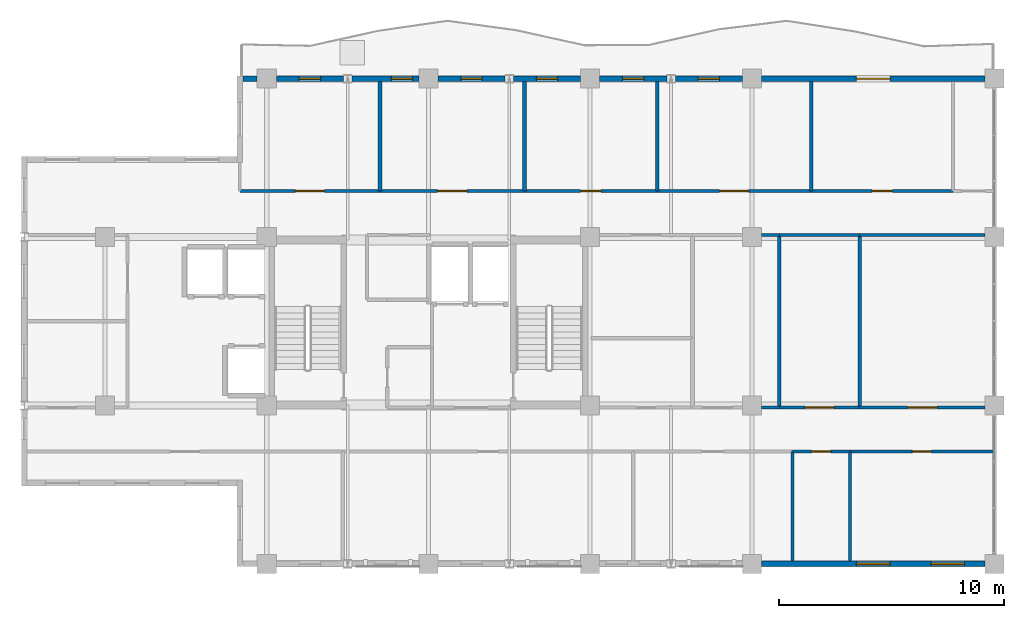
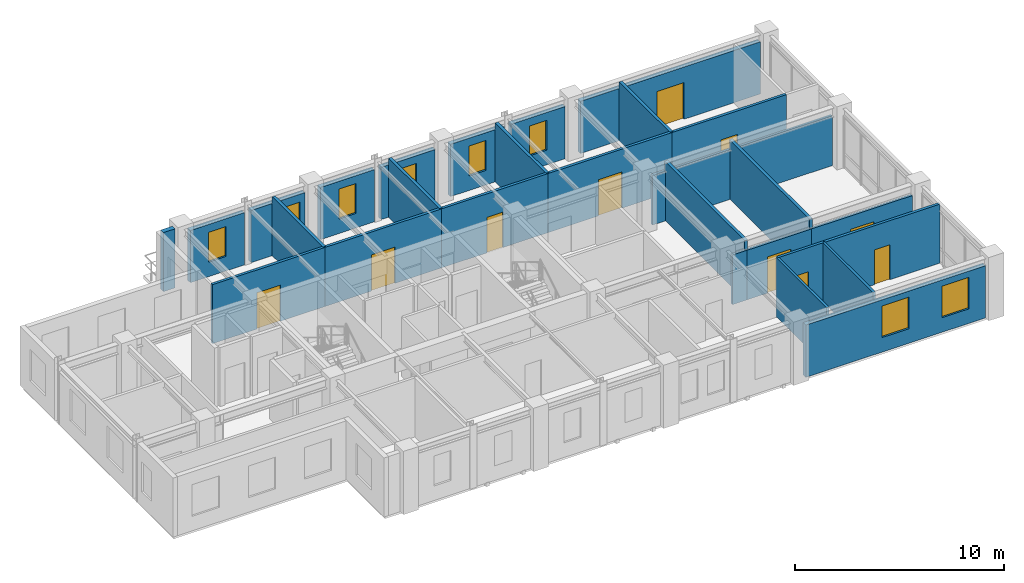
# One storey, part 8 of 10: 30 walls, 10 doors, 8 windows, 18 openings.
"""IFC4 building model written with IfcOpenShell, lengths in metres."""

import ifcopenshell
import ifcopenshell.guid

model = None  # the IFC model being written
_history = None  # IfcOwnerHistory: only IFC2X3 demands one
_inside = {}  # id of a spatial element -> (the spatial element, [elements in it])
_under = {}  # id of a project, library or spatial element -> (it, [spatial elements below it])
_declared = {}  # id of a project -> (the project, [libraries it declares])
_typed = {}  # id of a type object -> (the type object, [elements of that type])
_made_of = {}  # id of a material, layer set ... -> (it, [elements and type objects made of it])


def new_model(schema):
    """Start an empty IFC model of exactly this schema.

    Asked for "IFC4X3", IfcOpenShell would pick the latest addendum, in which some entities
    have other attributes; the version numbers below select the first issue.
    IFC2X3 requires an IfcOwnerHistory on every rooted entity: one is made here for all.
    """
    global model, _history
    if schema == "IFC4X3":
        model = ifcopenshell.file(schema_version=(4, 3, 0, 0))
    else:
        model = ifcopenshell.file(schema=schema)
    _inside.clear()
    _under.clear()
    _declared.clear()
    _typed.clear()
    _made_of.clear()
    _history = None
    if model.schema == "IFC2X3":
        org = make("IfcOrganization", Name="unknown")
        user = make(
            "IfcPersonAndOrganization",
            ThePerson=make("IfcPerson", FamilyName="unknown"),
            TheOrganization=org,
        )
        app = make(
            "IfcApplication",
            ApplicationDeveloper=org,
            Version="unknown",
            ApplicationFullName="unknown",
            ApplicationIdentifier="unknown",
        )
        _history = make(
            "IfcOwnerHistory",
            OwningUser=user,
            OwningApplication=app,
            ChangeAction="ADDED",
            CreationDate=0,
        )
    return model


def make(cls, **values):
    """One entity of the class cls with the attributes given. An attribute that is None is left unset."""
    return model.create_entity(
        cls, **{name: value for name, value in values.items() if value is not None}
    )


def rooted(cls, **values):
    """An entity with a GlobalId (a new one), such as an element, a storey or a relation."""
    return make(cls, GlobalId=ifcopenshell.guid.new(), OwnerHistory=_history, **values)


def si_unit(unit_type, name, prefix=None):
    """IfcSIUnit, for example si_unit("LENGTHUNIT", "METRE", prefix="MILLI")."""
    return make("IfcSIUnit", UnitType=unit_type, Prefix=prefix, Name=name)


def assignment(units):
    """IfcUnitAssignment: the units of a project."""
    return None if units is None else make("IfcUnitAssignment", Units=units)


def point(xyz):
    """IfcCartesianPoint."""
    return None if xyz is None else make("IfcCartesianPoint", Coordinates=xyz)


def direction(xyz):
    """IfcDirection."""
    return None if xyz is None else make("IfcDirection", DirectionRatios=xyz)


def frame(location, z_axis=None, x_axis=None):
    """IfcAxis2Placement3D, a coordinate frame: its origin and axes. An axis left out is left unset."""
    return make(
        "IfcAxis2Placement3D",
        Location=point(location),
        Axis=direction(z_axis),
        RefDirection=direction(x_axis),
    )


def frame_2d(location, x_axis=None):
    """IfcAxis2Placement2D, a coordinate frame in the plane: its origin and x axis."""
    return make(
        "IfcAxis2Placement2D", Location=point(location), RefDirection=direction(x_axis)
    )


def origin():
    """The frame at (0, 0, 0) with its axes left unset."""
    return frame((0.0, 0.0, 0.0))


def place(relative_to, where):
    """IfcLocalPlacement: puts the frame where relative to a parent placement (None: the world)."""
    return make(
        "IfcLocalPlacement", PlacementRelTo=relative_to, RelativePlacement=where
    )


def context(
    kind, dimensions, precision=None, world=None, true_north=None, identifier=None
):
    """IfcGeometricRepresentationContext, for example the 3D "Model" context."""
    return make(
        "IfcGeometricRepresentationContext",
        ContextIdentifier=identifier,
        ContextType=kind,
        CoordinateSpaceDimension=dimensions,
        Precision=precision,
        WorldCoordinateSystem=world,
        TrueNorth=true_north,
    )


def subcontext(parent, identifier, kind, view, scale=None):
    """IfcGeometricRepresentationSubContext, for example "Body" below "Model"."""
    return make(
        "IfcGeometricRepresentationSubContext",
        ContextIdentifier=identifier,
        ContextType=kind,
        ParentContext=parent,
        TargetScale=scale,
        TargetView=view,
    )


def project(units=None, contexts=None):
    """IfcProject with its units and contexts."""
    return rooted(
        "IfcProject",
        Name="project",
        RepresentationContexts=contexts,
        UnitsInContext=assignment(units),
    )


def spatial(cls, under=None, at=None, **own):
    """A site, building, storey or space (cls), placed at a placement, below another one or the project."""
    s = rooted(cls, ObjectPlacement=at, **own)
    if under is not None:
        _under.setdefault(under.id(), (under, []))[1].append(s)
    return s


def profile(cls, at=None, kind="AREA", **sizes):
    """A parametric profile (cls). Its sizes go by their IFC names, for example OverallWidth=200.0."""
    return make(cls, ProfileType=kind, Position=at, **sizes)


def rectangle(**sizes):
    """IfcRectangleProfileDef."""
    return profile("IfcRectangleProfileDef", **sizes)


def extrude(swept, where, along, depth):
    """IfcExtrudedAreaSolid: the profile swept, set in the frame where, extruded along a direction by depth."""
    return make(
        "IfcExtrudedAreaSolid",
        SweptArea=swept,
        Position=where,
        ExtrudedDirection=direction(along),
        Depth=depth,
    )


def shape(context_of_items, identifier, shape_type, items):
    """IfcShapeRepresentation: the items that make up one representation, for example the "Body"."""
    return make(
        "IfcShapeRepresentation",
        ContextOfItems=context_of_items,
        RepresentationIdentifier=identifier,
        RepresentationType=shape_type,
        Items=items,
    )


def material(Name=None, Category=None):
    """IfcMaterial."""
    return make("IfcMaterial", Name=Name, Category=Category)


def layer(
    of_material, thickness, ventilated=None, Name=None, Category=None, Priority=None
):
    """IfcMaterialLayer: one layer of a wall or slab, of a material (None: an air gap)."""
    return make(
        "IfcMaterialLayer",
        Material=of_material,
        LayerThickness=thickness,
        IsVentilated=ventilated,
        Name=Name,
        Category=Category,
        Priority=Priority,
    )


def layer_set(layers, Name=None):
    """IfcMaterialLayerSet."""
    return make("IfcMaterialLayerSet", MaterialLayers=layers, LayerSetName=Name)


def made_of(thing, what):
    """Note that an element or type object is made of a material, layer set ...; save() writes the relation."""
    if what is not None:
        _made_of.setdefault(what.id(), (what, []))[1].append(thing)
    return thing


def type_object(cls, material=None, **own):
    """A type object (cls), such as IfcWallType, which elements share."""
    return made_of(rooted(cls, **own), material)


def element(
    cls,
    number,
    at=None,
    inside=None,
    cuts=None,
    type_object=None,
    material=None,
    context=None,
    identifier="Body",
    shape_type=None,
    held_by="IfcProductDefinitionShape",
    body=None,
    shapes=None,
    **own,
):
    """One element of the class cls, such as IfcWall. Its Tag is "e" and its number.

    at: its placement. inside: the storey or other place that contains it. cuts: it is an
    opening in that element (IfcRelVoidsElement). A single representation is given by context,
    identifier, shape_type and body (its items); several are given by shapes. held_by: the class
    of the entity that holds the representations. save() writes the other relations.
    """
    e = rooted(cls, Tag="e%d" % number, ObjectPlacement=at, **own)
    if body is not None:
        shapes = [shape(context, identifier, shape_type, body)]
    if shapes is not None:
        e.Representation = make(held_by, Representations=shapes)
    if inside is not None:
        _inside.setdefault(inside.id(), (inside, []))[1].append(e)
    if cuts is not None:
        rooted(
            "IfcRelVoidsElement", RelatingBuildingElement=cuts, RelatedOpeningElement=e
        )
    if type_object is not None:
        _typed.setdefault(type_object.id(), (type_object, []))[1].append(e)
    return made_of(e, material)


def fill(opening, filler):
    """IfcRelFillsElement: the door or window that sits in an opening."""
    return rooted(
        "IfcRelFillsElement",
        RelatingOpeningElement=opening,
        RelatedBuildingElement=filler,
    )


def aggregate(whole, parts):
    """IfcRelAggregates: a whole, such as a stair, and the parts it consists of."""
    return rooted("IfcRelAggregates", RelatingObject=whole, RelatedObjects=parts)


def save(model, path):
    """Write the relations noted so far, then the file.

    IfcRelAggregates (storeys below a building ...), IfcRelContainedInSpatialStructure (elements
    in a storey), IfcRelDefinesByType, IfcRelAssociatesMaterial and IfcRelDeclares: one each for
    every whole, place, type object, material and project.
    """
    for whole, parts in _under.values():
        aggregate(whole, parts)
    for where, things in _inside.values():
        rooted(
            "IfcRelContainedInSpatialStructure",
            RelatedElements=things,
            RelatingStructure=where,
        )
    for kind, things in _typed.values():
        rooted("IfcRelDefinesByType", RelatedObjects=things, RelatingType=kind)
    for what, things in _made_of.values():
        rooted("IfcRelAssociatesMaterial", RelatedObjects=things, RelatingMaterial=what)
    for by, libraries in _declared.values():
        rooted("IfcRelDeclares", RelatingContext=by, RelatedDefinitions=libraries)
    model.write(path)


model = new_model("IFC4")

# Units and contexts
model_context = context("Model", 3, precision=1e-05, world=origin(), true_north=direction((0.0, 1.0)))
body_context = subcontext(model_context, "Body", "Model", "MODEL_VIEW")
ifc_project = project(units=[si_unit("LENGTHUNIT", "METRE"), si_unit("AREAUNIT", "SQUARE_METRE"), si_unit("VOLUMEUNIT", "CUBIC_METRE"), si_unit("PLANEANGLEUNIT", "RADIAN"), si_unit("MASSUNIT", "GRAM", prefix="KILO")], contexts=[model_context])

# Site, building, storey
site_placement = place(None, origin())
site = spatial("IfcSite", under=ifc_project, at=site_placement, CompositionType="ELEMENT")
building_placement = place(site_placement, origin())
building = spatial("IfcBuilding", under=site, at=building_placement, Name="Kaliganga Portal Commons", CompositionType="ELEMENT")
storey_placement = place(building_placement, frame((0.0, 0.0, 286.89990234375)))
storey = spatial("IfcBuildingStorey", under=building, at=storey_placement, Name="L74", CompositionType="ELEMENT", Elevation=286.89990234375)

# Wall, openings, windows
ifc_material_1 = material(Name="Insulated Aluminium-Clad Spandrel Assembly", Category="aluminium")
ifc_layer_1 = layer(ifc_material_1, 0.260009765625)
ifc_layer_set_1 = layer_set([ifc_layer_1], Name="Insulated Aluminium-Clad Spandrel Assembly")
wall_type_1 = type_object("IfcWallType", Name="WL-EXT-SPAND-260", PredefinedType="STANDARD", material=ifc_layer_set_1)
wall_1_placement = place(storey_placement, frame((46.3740234375, 21.60009765625, 0.0), z_axis=(0.0, 0.0, 1.0), x_axis=(-1.0, 0.0, 0.0)))
wall_1 = element("IfcWall", 1, at=wall_1_placement, inside=storey, type_object=wall_type_1, Name="Exterior Envelope Wall L74 P1-E00-S8", PredefinedType="STANDARD", context=body_context, shape_type="SweptSolid", body=[
    extrude(rectangle(XDim=9.947998046875, YDim=0.260009765625, at=frame_2d((4.97412109375, 0.0))), origin(), (0.0, 0.0, 1.0), 3.05517578125),
])
opening_1_placement = place(wall_1_placement, frame((0.907958984375, 0.0, 0.85009765625)))
opening_1 = element("IfcOpeningElement", 2, at=opening_1_placement, cuts=wall_1, Name="Opening W-02", PredefinedType="OPENING", context=body_context, shape_type="SweptSolid", body=[
    extrude(rectangle(XDim=1.5, YDim=1.85009765625, at=frame_2d((0.75, 0.925048828125))), frame((0.0, 0.14013671875, 0.0), z_axis=(0.0, -1.0, 0.0), x_axis=(1.0, 0.0, 0.0)), (0.0, 0.0, 1.0), 0.280029296875),
])
opening_2_placement = place(wall_1_placement, frame((4.22412109375, 0.0, 0.85009765625)))
opening_2 = element("IfcOpeningElement", 3, at=opening_2_placement, cuts=wall_1, Name="Opening W-02", PredefinedType="OPENING", context=body_context, shape_type="SweptSolid", body=[
    extrude(rectangle(XDim=1.5, YDim=1.85009765625, at=frame_2d((0.75, 0.925048828125))), frame((0.0, 0.14013671875, 0.0), z_axis=(0.0, -1.0, 0.0), x_axis=(1.0, 0.0, 0.0)), (0.0, 0.0, 1.0), 0.280029296875),
])
ifc_material_2 = material(Name="Thermally Broken Aluminium and Low-E Double Glazing", Category="aluminium")
window_type_1 = type_object("IfcWindowType", Name="WIN-STD-1500", PartitioningType="DOUBLE_PANEL_VERTICAL", PredefinedType="WINDOW", material=ifc_material_2)
window_1_placement = place(opening_1_placement, origin())
window_1 = element("IfcWindow", 4, at=window_1_placement, inside=storey, type_object=window_type_1, Name="Facade Window L74-P1E00S8-00", OverallHeight=1.85009765625, OverallWidth=1.5, PartitioningType="SINGLE_PANEL", PredefinedType="WINDOW", context=body_context, shape_type="SweptSolid", body=[
    extrude(rectangle(XDim=1.5, YDim=1.85009765625, at=frame_2d((0.75, 0.925048828125))), frame((0.0, 0.030029296875, 0.0), z_axis=(0.0, -1.0, 0.0), x_axis=(1.0, 0.0, 0.0)), (0.0, 0.0, 1.0), 0.06005859375),
])
fill(opening_1, window_1)
window_2_placement = place(opening_2_placement, origin())
window_2 = element("IfcWindow", 5, at=window_2_placement, inside=storey, type_object=window_type_1, Name="Facade Window L74-P1E00S8-01", OverallHeight=1.85009765625, OverallWidth=1.5, PartitioningType="SINGLE_PANEL", PredefinedType="WINDOW", context=body_context, shape_type="SweptSolid", body=[
    extrude(rectangle(XDim=1.5, YDim=1.85009765625, at=frame_2d((0.75, 0.925048828125))), frame((0.0, 0.030029296875, 0.0), z_axis=(0.0, -1.0, 0.0), x_axis=(1.0, 0.0, 0.0)), (0.0, 0.0, 1.0), 0.06005859375),
])
fill(opening_2, window_2)

# Wall, opening, door
wall_2_placement = place(storey_placement, frame((36.426025390625, 43.199951171875, 0.0), z_axis=(0.0, 0.0, 1.0), x_axis=(1.0, 0.0, 0.0)))
wall_2 = element("IfcWall", 6, at=wall_2_placement, inside=storey, type_object=wall_type_1, Name="Exterior Envelope Wall L74 P1-E02-S1", PredefinedType="STANDARD", context=body_context, shape_type="SweptSolid", body=[
    extrude(rectangle(XDim=9.947998046875, YDim=0.260009765625, at=frame_2d((4.97412109375, 0.0))), origin(), (0.0, 0.0, 1.0), 3.05517578125),
])
opening_3_placement = place(wall_2_placement, frame((4.22412109375, 0.0, 0.0)))
opening_3 = element("IfcOpeningElement", 7, at=opening_3_placement, cuts=wall_2, Name="Opening BD-01", PredefinedType="OPENING", context=body_context, shape_type="SweptSolid", body=[
    extrude(rectangle(XDim=1.5, YDim=2.14990234375, at=frame_2d((0.75, 1.074951171875))), frame((0.0, 0.14013671875, 0.0), z_axis=(0.0, -1.0, 0.0), x_axis=(1.0, 0.0, 0.0)), (0.0, 0.0, 1.0), 0.280029296875),
])
ifc_material_3 = material(Name="Anodized Aluminium and Laminated Safety Glass", Category="aluminium")
door_type_1 = type_object("IfcDoorType", Name="DR-BALC-1500", OperationType="SLIDING_TO_LEFT", PredefinedType="DOOR", material=ifc_material_3)
door_1_placement = place(opening_3_placement, origin())
door_1 = element("IfcDoor", 8, at=door_1_placement, inside=storey, type_object=door_type_1, Name="Balcony Sliding Door L74 balc_north", OperationType="SLIDING_TO_LEFT", OverallHeight=2.14990234375, OverallWidth=1.5, PredefinedType="DOOR", context=body_context, shape_type="SweptSolid", body=[
    extrude(rectangle(XDim=1.5, YDim=2.14990234375, at=frame_2d((0.75, 1.074951171875))), frame((0.0, 0.02490234375, 0.0), z_axis=(0.0, -1.0, 0.0), x_axis=(1.0, 0.0, 0.0)), (0.0, 0.0, 1.0), 0.050048828125),
])
fill(opening_3, door_1)

# Wall, opening, window
wall_3_placement = place(storey_placement, frame((32.587890625, 43.199951171875, 0.0), z_axis=(0.0, 0.0, 1.0), x_axis=(1.0, 0.0, 0.0)))
wall_3 = element("IfcWall", 9, at=wall_3_placement, inside=storey, type_object=wall_type_1, Name="Exterior Envelope Wall L74 P1-E02-S2", PredefinedType="STANDARD", context=body_context, shape_type="SweptSolid", body=[
    extrude(rectangle(XDim=2.986083984375, YDim=0.260009765625, at=frame_2d((1.4931640625, 0.0))), origin(), (0.0, 0.0, 1.0), 3.05517578125),
])
opening_4_placement = place(wall_3_placement, frame((1.01806640625, 0.0, 0.85009765625)))
opening_4 = element("IfcOpeningElement", 10, at=opening_4_placement, cuts=wall_3, Name="Opening W-04", PredefinedType="OPENING", context=body_context, shape_type="SweptSolid", body=[
    extrude(rectangle(XDim=0.949951171875, YDim=1.75, at=frame_2d((0.47509765625, 0.875))), frame((0.0, 0.14013671875, 0.0), z_axis=(0.0, -1.0, 0.0), x_axis=(1.0, 0.0, 0.0)), (0.0, 0.0, 1.0), 0.280029296875),
])
window_type_2 = type_object("IfcWindowType", Name="WIN-NARROW-950", PartitioningType="SINGLE_PANEL", PredefinedType="WINDOW", material=ifc_material_2)
window_3_placement = place(opening_4_placement, origin())
window_3 = element("IfcWindow", 11, at=window_3_placement, inside=storey, type_object=window_type_2, Name="Facade Window L74-P1E02S2-00", OverallHeight=1.75, OverallWidth=0.949951171875, PartitioningType="SINGLE_PANEL", PredefinedType="WINDOW", context=body_context, shape_type="SweptSolid", body=[
    extrude(rectangle(XDim=0.949951171875, YDim=1.75, at=frame_2d((0.47509765625, 0.875))), frame((0.0, 0.030029296875, 0.0), z_axis=(0.0, -1.0, 0.0), x_axis=(1.0, 0.0, 0.0)), (0.0, 0.0, 1.0), 0.06005859375),
])
fill(opening_4, window_3)

wall_4_placement = place(storey_placement, frame((29.22607421875, 43.199951171875, 0.0), z_axis=(0.0, 0.0, 1.0), x_axis=(1.0, 0.0, 0.0)))
wall_4 = element("IfcWall", 12, at=wall_4_placement, inside=storey, type_object=wall_type_1, Name="Exterior Envelope Wall L74 P1-E02-S3", PredefinedType="STANDARD", context=body_context, shape_type="SweptSolid", body=[
    extrude(rectangle(XDim=2.98583984375, YDim=0.260009765625, at=frame_2d((1.492919921875, 0.0))), origin(), (0.0, 0.0, 1.0), 3.05517578125),
])
opening_5_placement = place(wall_4_placement, frame((1.01806640625, 0.0, 0.85009765625)))
opening_5 = element("IfcOpeningElement", 13, at=opening_5_placement, cuts=wall_4, Name="Opening W-04", PredefinedType="OPENING", context=body_context, shape_type="SweptSolid", body=[
    extrude(rectangle(XDim=0.949951171875, YDim=1.75, at=frame_2d((0.47509765625, 0.875))), frame((0.0, 0.14013671875, 0.0), z_axis=(0.0, -1.0, 0.0), x_axis=(1.0, 0.0, 0.0)), (0.0, 0.0, 1.0), 0.280029296875),
])
window_4_placement = place(opening_5_placement, origin())
window_4 = element("IfcWindow", 14, at=window_4_placement, inside=storey, type_object=window_type_2, Name="Facade Window L74-P1E02S3-00", OverallHeight=1.75, OverallWidth=0.949951171875, PartitioningType="SINGLE_PANEL", PredefinedType="WINDOW", context=body_context, shape_type="SweptSolid", body=[
    extrude(rectangle(XDim=0.949951171875, YDim=1.75, at=frame_2d((0.47509765625, 0.875))), frame((0.0, 0.030029296875, 0.0), z_axis=(0.0, -1.0, 0.0), x_axis=(1.0, 0.0, 0.0)), (0.0, 0.0, 1.0), 0.06005859375),
])
fill(opening_5, window_4)

wall_5_placement = place(storey_placement, frame((25.387939453125, 43.199951171875, 0.0), z_axis=(0.0, 0.0, 1.0), x_axis=(1.0, 0.0, 0.0)))
wall_5 = element("IfcWall", 15, at=wall_5_placement, inside=storey, type_object=wall_type_1, Name="Exterior Envelope Wall L74 P1-E02-S4", PredefinedType="STANDARD", context=body_context, shape_type="SweptSolid", body=[
    extrude(rectangle(XDim=2.986083984375, YDim=0.260009765625, at=frame_2d((1.4931640625, 0.0))), origin(), (0.0, 0.0, 1.0), 3.05517578125),
])
opening_6_placement = place(wall_5_placement, frame((1.01806640625, 0.0, 0.85009765625)))
opening_6 = element("IfcOpeningElement", 16, at=opening_6_placement, cuts=wall_5, Name="Opening W-04", PredefinedType="OPENING", context=body_context, shape_type="SweptSolid", body=[
    extrude(rectangle(XDim=0.949951171875, YDim=1.75, at=frame_2d((0.47509765625, 0.875))), frame((0.0, 0.14013671875, 0.0), z_axis=(0.0, -1.0, 0.0), x_axis=(1.0, 0.0, 0.0)), (0.0, 0.0, 1.0), 0.280029296875),
])
window_5_placement = place(opening_6_placement, origin())
window_5 = element("IfcWindow", 17, at=window_5_placement, inside=storey, type_object=window_type_2, Name="Facade Window L74-P1E02S4-00", OverallHeight=1.75, OverallWidth=0.949951171875, PartitioningType="SINGLE_PANEL", PredefinedType="WINDOW", context=body_context, shape_type="SweptSolid", body=[
    extrude(rectangle(XDim=0.949951171875, YDim=1.75, at=frame_2d((0.47509765625, 0.875))), frame((0.0, 0.030029296875, 0.0), z_axis=(0.0, -1.0, 0.0), x_axis=(1.0, 0.0, 0.0)), (0.0, 0.0, 1.0), 0.06005859375),
])
fill(opening_6, window_5)

wall_6_placement = place(storey_placement, frame((22.02587890625, 43.199951171875, 0.0), z_axis=(0.0, 0.0, 1.0), x_axis=(1.0, 0.0, 0.0)))
wall_6 = element("IfcWall", 18, at=wall_6_placement, inside=storey, type_object=wall_type_1, Name="Exterior Envelope Wall L74 P1-E02-S5", PredefinedType="STANDARD", context=body_context, shape_type="SweptSolid", body=[
    extrude(rectangle(XDim=2.986083984375, YDim=0.260009765625, at=frame_2d((1.4931640625, 0.0))), origin(), (0.0, 0.0, 1.0), 3.05517578125),
])
opening_7_placement = place(wall_6_placement, frame((1.01806640625, 0.0, 0.85009765625)))
opening_7 = element("IfcOpeningElement", 19, at=opening_7_placement, cuts=wall_6, Name="Opening W-04", PredefinedType="OPENING", context=body_context, shape_type="SweptSolid", body=[
    extrude(rectangle(XDim=0.949951171875, YDim=1.75, at=frame_2d((0.47509765625, 0.875))), frame((0.0, 0.14013671875, 0.0), z_axis=(0.0, -1.0, 0.0), x_axis=(1.0, 0.0, 0.0)), (0.0, 0.0, 1.0), 0.280029296875),
])
window_6_placement = place(opening_7_placement, origin())
window_6 = element("IfcWindow", 20, at=window_6_placement, inside=storey, type_object=window_type_2, Name="Facade Window L74-P1E02S5-00", OverallHeight=1.75, OverallWidth=0.949951171875, PartitioningType="SINGLE_PANEL", PredefinedType="WINDOW", context=body_context, shape_type="SweptSolid", body=[
    extrude(rectangle(XDim=0.949951171875, YDim=1.75, at=frame_2d((0.47509765625, 0.875))), frame((0.0, 0.030029296875, 0.0), z_axis=(0.0, -1.0, 0.0), x_axis=(1.0, 0.0, 0.0)), (0.0, 0.0, 1.0), 0.06005859375),
])
fill(opening_7, window_6)

wall_7_placement = place(storey_placement, frame((18.18798828125, 43.199951171875, 0.0), z_axis=(0.0, 0.0, 1.0), x_axis=(1.0, 0.0, 0.0)))
wall_7 = element("IfcWall", 21, at=wall_7_placement, inside=storey, type_object=wall_type_1, Name="Exterior Envelope Wall L74 P1-E02-S6", PredefinedType="STANDARD", context=body_context, shape_type="SweptSolid", body=[
    extrude(rectangle(XDim=2.986083984375, YDim=0.260009765625, at=frame_2d((1.4931640625, 0.0))), origin(), (0.0, 0.0, 1.0), 3.05517578125),
])
opening_8_placement = place(wall_7_placement, frame((1.758544921875, 0.0, 0.85009765625)))
opening_8 = element("IfcOpeningElement", 22, at=opening_8_placement, cuts=wall_7, Name="Opening W-04", PredefinedType="OPENING", context=body_context, shape_type="SweptSolid", body=[
    extrude(rectangle(XDim=0.949951171875, YDim=1.75, at=frame_2d((0.47509765625, 0.875))), frame((0.0, 0.14013671875, 0.0), z_axis=(0.0, -1.0, 0.0), x_axis=(1.0, 0.0, 0.0)), (0.0, 0.0, 1.0), 0.280029296875),
])
window_7_placement = place(opening_8_placement, origin())
window_7 = element("IfcWindow", 23, at=window_7_placement, inside=storey, type_object=window_type_2, Name="Facade Window L74-P1E02S6-N2", OverallHeight=1.75, OverallWidth=0.949951171875, PartitioningType="SINGLE_PANEL", PredefinedType="WINDOW", context=body_context, shape_type="SweptSolid", body=[
    extrude(rectangle(XDim=0.949951171875, YDim=1.75, at=frame_2d((0.47509765625, 0.875))), frame((0.0, 0.030029296875, 0.0), z_axis=(0.0, -1.0, 0.0), x_axis=(1.0, 0.0, 0.0)), (0.0, 0.0, 1.0), 0.06005859375),
])
fill(opening_8, window_7)

wall_8_placement = place(storey_placement, frame((14.825927734375, 43.199951171875, 0.0), z_axis=(0.0, 0.0, 1.0), x_axis=(1.0, 0.0, 0.0)))
wall_8 = element("IfcWall", 24, at=wall_8_placement, inside=storey, type_object=wall_type_1, Name="Exterior Envelope Wall L74 P1-E02-S7", PredefinedType="STANDARD", context=body_context, shape_type="SweptSolid", body=[
    extrude(rectangle(XDim=2.986083984375, YDim=0.260009765625, at=frame_2d((1.4931640625, 0.0))), origin(), (0.0, 0.0, 1.0), 3.05517578125),
])
opening_9_placement = place(wall_8_placement, frame((1.01806640625, 0.0, 0.85009765625)))
opening_9 = element("IfcOpeningElement", 25, at=opening_9_placement, cuts=wall_8, Name="Opening W-04", PredefinedType="OPENING", context=body_context, shape_type="SweptSolid", body=[
    extrude(rectangle(XDim=0.949951171875, YDim=1.75, at=frame_2d((0.47509765625, 0.875))), frame((0.0, 0.14013671875, 0.0), z_axis=(0.0, -1.0, 0.0), x_axis=(1.0, 0.0, 0.0)), (0.0, 0.0, 1.0), 0.280029296875),
])
window_8_placement = place(opening_9_placement, origin())
window_8 = element("IfcWindow", 26, at=window_8_placement, inside=storey, type_object=window_type_2, Name="Facade Window L74-P1E02S7-00", OverallHeight=1.75, OverallWidth=0.949951171875, PartitioningType="SINGLE_PANEL", PredefinedType="WINDOW", context=body_context, shape_type="SweptSolid", body=[
    extrude(rectangle(XDim=0.949951171875, YDim=1.75, at=frame_2d((0.47509765625, 0.875))), frame((0.0, 0.030029296875, 0.0), z_axis=(0.0, -1.0, 0.0), x_axis=(1.0, 0.0, 0.0)), (0.0, 0.0, 1.0), 0.06005859375),
])
fill(opening_9, window_8)

# Wall
wall_9_placement = place(storey_placement, frame((13.3349609375, 43.199951171875, 0.0), z_axis=(0.0, 0.0, 1.0), x_axis=(1.0, 0.0, 0.0)))
element("IfcWall", 27, at=wall_9_placement, inside=storey, type_object=wall_type_1, Name="Exterior Envelope Wall L74 P1-E02-S8", PredefinedType="STANDARD", context=body_context, shape_type="SweptSolid", body=[
    extrude(rectangle(XDim=0.63916015625, YDim=0.260009765625, at=frame_2d((0.319580078125, 0.0))), origin(), (0.0, 0.0, 1.0), 3.455078125),
])

# Wall, opening, door
ifc_material_4 = material(Name="Fire-Rated Gypsum Board on Steel Stud", Category="steel")
ifc_layer_2 = layer(ifc_material_4, 0.14990234375)
ifc_layer_set_2 = layer_set([ifc_layer_2], Name="Fire-Rated Gypsum Board on Steel Stud")
wall_type_2 = type_object("IfcWallType", Name="WL-PART-CORR-150", PredefinedType="PARTITIONING", material=ifc_layer_set_2)
wall_10_placement = place(storey_placement, frame((31.780029296875, 38.199951171875, 0.0), z_axis=(0.0, 0.0, 1.0), x_axis=(1.0, 0.0, 0.0)))
wall_10 = element("IfcWall", 28, at=wall_10_placement, inside=storey, type_object=wall_type_2, Name="Interior Partition L74-004", PredefinedType="PARTITIONING", context=body_context, shape_type="SweptSolid", body=[
    extrude(rectangle(XDim=6.85986328125, YDim=0.14990234375, at=frame_2d((3.429931640625, 0.0))), origin(), (0.0, 0.0, 1.0), 3.455078125),
])
opening_10_placement = place(wall_10_placement, frame((2.780029296875, 0.0, 0.0)))
opening_10 = element("IfcOpeningElement", 29, at=opening_10_placement, cuts=wall_10, Name="Opening RD-03", PredefinedType="OPENING", context=body_context, shape_type="SweptSolid", body=[
    extrude(rectangle(XDim=1.300048828125, YDim=2.1201171875, at=frame_2d((0.64990234375, 1.06005859375))), frame((0.0, 0.0849609375, 0.0), z_axis=(0.0, -1.0, 0.0), x_axis=(1.0, 0.0, 0.0)), (0.0, 0.0, 1.0), 0.169921875),
])
ifc_material_5 = material(Name="Glazed Timber Seminar Vision Door", Category="wood")
door_type_2 = type_object("IfcDoorType", Name="DR-STUDY-1300", OperationType="DOUBLE_DOOR_SINGLE_SWING", PredefinedType="DOOR", material=ifc_material_5)
door_2_placement = place(opening_10_placement, origin())
door_2 = element("IfcDoor", 30, at=door_2_placement, inside=storey, type_object=door_type_2, Name="Interior Door L74-AN04", OperationType="DOUBLE_DOOR_SINGLE_SWING", OverallHeight=2.1201171875, OverallWidth=1.300048828125, PredefinedType="DOOR", context=body_context, shape_type="SweptSolid", body=[
    extrude(rectangle(XDim=1.300048828125, YDim=2.1201171875, at=frame_2d((0.64990234375, 1.06005859375))), frame((0.0, 0.02490234375, 0.0), z_axis=(0.0, -1.0, 0.0), x_axis=(1.0, 0.0, 0.0)), (0.0, 0.0, 1.0), 0.050048828125),
])
fill(opening_10, door_2)

wall_11_placement = place(storey_placement, frame((40.360107421875, 26.60009765625, 0.0), z_axis=(0.0, 0.0, 1.0), x_axis=(1.0, 0.0, 0.0)))
wall_11 = element("IfcWall", 31, at=wall_11_placement, inside=storey, type_object=wall_type_2, Name="Interior Partition L74-005", PredefinedType="PARTITIONING", context=body_context, shape_type="SweptSolid", body=[
    extrude(rectangle(XDim=6.419921875, YDim=0.14990234375, at=frame_2d((3.2099609375, 0.0))), origin(), (0.0, 0.0, 1.0), 3.455078125),
])
opening_11_placement = place(wall_11_placement, frame((2.784912109375, 0.0, 0.0)))
opening_11 = element("IfcOpeningElement", 32, at=opening_11_placement, cuts=wall_11, Name="Opening WD-01", PredefinedType="OPENING", context=body_context, shape_type="SweptSolid", body=[
    extrude(rectangle(XDim=0.85009765625, YDim=2.0400390625, at=frame_2d((0.425048828125, 1.02001953125))), frame((0.0, 0.0849609375, 0.0), z_axis=(0.0, -1.0, 0.0), x_axis=(1.0, 0.0, 0.0)), (0.0, 0.0, 1.0), 0.169921875),
])
ifc_material_6 = material(Name="Moisture-Resistant Laminate Timber Door", Category="wood")
door_type_3 = type_object("IfcDoorType", Name="DR-WET-850", OperationType="NOTDEFINED", PredefinedType="DOOR", material=ifc_material_6)
door_3_placement = place(opening_11_placement, origin())
door_3 = element("IfcDoor", 33, at=door_3_placement, inside=storey, type_object=door_type_3, Name="Interior Door L74-AS05", OperationType="SINGLE_SWING_LEFT", OverallHeight=2.0400390625, OverallWidth=0.85009765625, PredefinedType="DOOR", context=body_context, shape_type="SweptSolid", body=[
    extrude(rectangle(XDim=0.85009765625, YDim=2.0400390625, at=frame_2d((0.425048828125, 1.02001953125))), frame((0.0, 0.02490234375, 0.0), z_axis=(0.0, -1.0, 0.0), x_axis=(1.0, 0.0, 0.0)), (0.0, 0.0, 1.0), 0.050048828125),
])
fill(opening_11, door_3)

wall_12_placement = place(storey_placement, frame((19.43994140625, 38.199951171875, 0.0), z_axis=(0.0, 0.0, 1.0), x_axis=(1.0, 0.0, 0.0)))
wall_12 = element("IfcWall", 34, at=wall_12_placement, inside=storey, type_object=wall_type_2, Name="Interior Partition L74-006", PredefinedType="PARTITIONING", context=body_context, shape_type="SweptSolid", body=[
    extrude(rectangle(XDim=6.43994140625, YDim=0.14990234375, at=frame_2d((3.219970703125, 0.0))), origin(), (0.0, 0.0, 1.0), 3.455078125),
])
opening_12_placement = place(wall_12_placement, frame((2.570068359375, 0.0, 0.0)))
opening_12 = element("IfcOpeningElement", 35, at=opening_12_placement, cuts=wall_12, Name="Opening RD-03", PredefinedType="OPENING", context=body_context, shape_type="SweptSolid", body=[
    extrude(rectangle(XDim=1.300048828125, YDim=2.1201171875, at=frame_2d((0.64990234375, 1.06005859375))), frame((0.0, 0.0849609375, 0.0), z_axis=(0.0, -1.0, 0.0), x_axis=(1.0, 0.0, 0.0)), (0.0, 0.0, 1.0), 0.169921875),
])
door_4_placement = place(opening_12_placement, origin())
door_4 = element("IfcDoor", 36, at=door_4_placement, inside=storey, type_object=door_type_2, Name="Interior Door L74-AN02", OperationType="DOUBLE_DOOR_SINGLE_SWING", OverallHeight=2.1201171875, OverallWidth=1.300048828125, PredefinedType="DOOR", context=body_context, shape_type="SweptSolid", body=[
    extrude(rectangle(XDim=1.300048828125, YDim=2.1201171875, at=frame_2d((0.64990234375, 1.06005859375))), frame((0.0, 0.02490234375, 0.0), z_axis=(0.0, -1.0, 0.0), x_axis=(1.0, 0.0, 0.0)), (0.0, 0.0, 1.0), 0.050048828125),
])
fill(opening_12, door_4)

wall_13_placement = place(storey_placement, frame((38.639892578125, 38.199951171875, 0.0), z_axis=(0.0, 0.0, 1.0), x_axis=(1.0, 0.0, 0.0)))
wall_13 = element("IfcWall", 37, at=wall_13_placement, inside=storey, type_object=wall_type_2, Name="Interior Partition L74-007", PredefinedType="PARTITIONING", context=body_context, shape_type="SweptSolid", body=[
    extrude(rectangle(XDim=6.320068359375, YDim=0.14990234375, at=frame_2d((3.16015625, 0.0))), origin(), (0.0, 0.0, 1.0), 3.455078125),
])
opening_13_placement = place(wall_13_placement, frame((2.7099609375, 0.0, 0.0)))
opening_13 = element("IfcOpeningElement", 38, at=opening_13_placement, cuts=wall_13, Name="Opening RD-01", PredefinedType="OPENING", context=body_context, shape_type="SweptSolid", body=[
    extrude(rectangle(XDim=0.89990234375, YDim=2.080078125, at=frame_2d((0.449951171875, 1.0400390625))), frame((0.0, 0.0849609375, 0.0), z_axis=(0.0, -1.0, 0.0), x_axis=(1.0, 0.0, 0.0)), (0.0, 0.0, 1.0), 0.169921875),
])
ifc_material_7 = material(Name="Engineered Timber Flush Door", Category="wood")
door_type_4 = type_object("IfcDoorType", Name="DR-ROOM-900", OperationType="NOTDEFINED", PredefinedType="DOOR", material=ifc_material_7)
door_5_placement = place(opening_13_placement, origin())
door_5 = element("IfcDoor", 39, at=door_5_placement, inside=storey, type_object=door_type_4, Name="Interior Door L74-AN05", OperationType="SINGLE_SWING_LEFT", OverallHeight=2.080078125, OverallWidth=0.89990234375, PredefinedType="DOOR", context=body_context, shape_type="SweptSolid", body=[
    extrude(rectangle(XDim=0.89990234375, YDim=2.080078125, at=frame_2d((0.449951171875, 1.0400390625))), frame((0.0, 0.02490234375, 0.0), z_axis=(0.0, -1.0, 0.0), x_axis=(1.0, 0.0, 0.0)), (0.0, 0.0, 1.0), 0.050048828125),
])
fill(opening_13, door_5)

wall_14_placement = place(storey_placement, frame((13.199951171875, 38.199951171875, 0.0), z_axis=(0.0, 0.0, 1.0), x_axis=(1.0, 0.0, 0.0)))
wall_14 = element("IfcWall", 40, at=wall_14_placement, inside=storey, type_object=wall_type_2, Name="Interior Partition L74-008", PredefinedType="PARTITIONING", context=body_context, shape_type="SweptSolid", body=[
    extrude(rectangle(XDim=6.239990234375, YDim=0.14990234375, at=frame_2d((3.1201171875, 0.0))), origin(), (0.0, 0.0, 1.0), 3.455078125),
])
opening_14_placement = place(wall_14_placement, frame((2.469970703125, 0.0, 0.0)))
opening_14 = element("IfcOpeningElement", 41, at=opening_14_placement, cuts=wall_14, Name="Opening RD-03", PredefinedType="OPENING", context=body_context, shape_type="SweptSolid", body=[
    extrude(rectangle(XDim=1.300048828125, YDim=2.1201171875, at=frame_2d((0.64990234375, 1.06005859375))), frame((0.0, 0.0849609375, 0.0), z_axis=(0.0, -1.0, 0.0), x_axis=(1.0, 0.0, 0.0)), (0.0, 0.0, 1.0), 0.169921875),
])
door_6_placement = place(opening_14_placement, origin())
door_6 = element("IfcDoor", 42, at=door_6_placement, inside=storey, type_object=door_type_2, Name="Interior Door L74-AN01", OperationType="DOUBLE_DOOR_SINGLE_SWING", OverallHeight=2.1201171875, OverallWidth=1.300048828125, PredefinedType="DOOR", context=body_context, shape_type="SweptSolid", body=[
    extrude(rectangle(XDim=1.300048828125, YDim=2.1201171875, at=frame_2d((0.64990234375, 1.06005859375))), frame((0.0, 0.02490234375, 0.0), z_axis=(0.0, -1.0, 0.0), x_axis=(1.0, 0.0, 0.0)), (0.0, 0.0, 1.0), 0.050048828125),
])
fill(opening_14, door_6)

wall_15_placement = place(storey_placement, frame((40.800048828125, 28.56005859375, 0.0), z_axis=(0.0, 0.0, 1.0), x_axis=(1.0, 0.0, 0.0)))
wall_15 = element("IfcWall", 43, at=wall_15_placement, inside=storey, type_object=wall_type_2, Name="Interior Partition L74-009", PredefinedType="PARTITIONING", context=body_context, shape_type="SweptSolid", body=[
    extrude(rectangle(XDim=5.574951171875, YDim=0.14990234375, at=frame_2d((2.78759765625, 0.0))), origin(), (0.0, 0.0, 1.0), 2.905029296875),
])
opening_15_placement = place(wall_15_placement, frame((2.137451171875, 0.0, 0.0)))
opening_15 = element("IfcOpeningElement", 44, at=opening_15_placement, cuts=wall_15, Name="Opening RD-03", PredefinedType="OPENING", context=body_context, shape_type="SweptSolid", body=[
    extrude(rectangle(XDim=1.300048828125, YDim=2.1201171875, at=frame_2d((0.64990234375, 1.06005859375))), frame((0.0, 0.0849609375, 0.0), z_axis=(0.0, -1.0, 0.0), x_axis=(1.0, 0.0, 0.0)), (0.0, 0.0, 1.0), 0.169921875),
])
door_7_placement = place(opening_15_placement, origin())
door_7 = element("IfcDoor", 45, at=door_7_placement, inside=storey, type_object=door_type_2, Name="Interior Door L74-AE03", OperationType="DOUBLE_DOOR_SINGLE_SWING", OverallHeight=2.1201171875, OverallWidth=1.300048828125, PredefinedType="DOOR", context=body_context, shape_type="SweptSolid", body=[
    extrude(rectangle(XDim=1.300048828125, YDim=2.1201171875, at=frame_2d((0.64990234375, 1.06005859375))), frame((0.0, 0.02490234375, 0.0), z_axis=(0.0, -1.0, 0.0), x_axis=(1.0, 0.0, 0.0)), (0.0, 0.0, 1.0), 0.050048828125),
])
fill(opening_15, door_7)

# Wall
wall_16_placement = place(storey_placement, frame((40.800048828125, 36.239990234375, 0.0), z_axis=(0.0, 0.0, 1.0), x_axis=(1.0, 0.0, 0.0)))
element("IfcWall", 46, at=wall_16_placement, inside=storey, type_object=wall_type_2, Name="Interior Partition L74-010", PredefinedType="PARTITIONING", context=body_context, shape_type="SweptSolid", body=[
    extrude(rectangle(XDim=5.574951171875, YDim=0.14990234375, at=frame_2d((2.78759765625, 0.0))), origin(), (0.0, 0.0, 1.0), 2.905029296875),
])

# Wall, opening, door
wall_17_placement = place(storey_placement, frame((25.8798828125, 38.199951171875, 0.0), z_axis=(0.0, 0.0, 1.0), x_axis=(1.0, 0.0, 0.0)))
wall_17 = element("IfcWall", 47, at=wall_17_placement, inside=storey, type_object=wall_type_2, Name="Interior Partition L74-011", PredefinedType="PARTITIONING", context=body_context, shape_type="SweptSolid", body=[
    extrude(rectangle(XDim=5.900146484375, YDim=0.14990234375, at=frame_2d((2.9501953125, 0.0))), origin(), (0.0, 0.0, 1.0), 3.455078125),
])
opening_16_placement = place(wall_17_placement, frame((2.5, 0.0, 0.0)))
opening_16 = element("IfcOpeningElement", 48, at=opening_16_placement, cuts=wall_17, Name="Opening RD-01", PredefinedType="OPENING", context=body_context, shape_type="SweptSolid", body=[
    extrude(rectangle(XDim=0.89990234375, YDim=2.080078125, at=frame_2d((0.449951171875, 1.0400390625))), frame((0.0, 0.0849609375, 0.0), z_axis=(0.0, -1.0, 0.0), x_axis=(1.0, 0.0, 0.0)), (0.0, 0.0, 1.0), 0.169921875),
])
door_8_placement = place(opening_16_placement, origin())
door_8 = element("IfcDoor", 49, at=door_8_placement, inside=storey, type_object=door_type_4, Name="Interior Door L74-AN03", OperationType="SINGLE_SWING_RIGHT", OverallHeight=2.080078125, OverallWidth=0.89990234375, PredefinedType="DOOR", context=body_context, shape_type="SweptSolid", body=[
    extrude(rectangle(XDim=0.89990234375, YDim=2.080078125, at=frame_2d((0.449951171875, 1.0400390625))), frame((0.0, 0.02490234375, 0.0), z_axis=(0.0, -1.0, 0.0), x_axis=(1.0, 0.0, 0.0)), (0.0, 0.0, 1.0), 0.050048828125),
])
fill(opening_16, door_8)

# Walls
for number, where, z_axis, x_axis, name in (
    (50, (36.425048828125, 28.56005859375, 0.0), (0.0, 0.0, 1.0), (1.0, 0.0, 0.0), "Interior Partition L74-017"),
    (51, (36.425048828125, 36.239990234375, 0.0), (0.0, 0.0, 1.0), (1.0, 0.0, 0.0), "Interior Partition L74-019"),
):
    element("IfcWall", number, at=place(storey_placement, frame(where, z_axis=z_axis, x_axis=x_axis)), inside=storey, type_object=wall_type_2, Name=name, PredefinedType="PARTITIONING", context=body_context, shape_type="SweptSolid", body=[
        extrude(rectangle(XDim=0.794921875, YDim=0.14990234375, at=frame_2d((0.3974609375, 0.0))), origin(), (0.0, 0.0, 1.0), 2.905029296875),
    ])

# Wall, opening, door
wall_18_placement = place(storey_placement, frame((37.219970703125, 28.56005859375, 0.0), z_axis=(0.0, 0.0, 1.0), x_axis=(1.0, 0.0, 0.0)))
wall_18 = element("IfcWall", 52, at=wall_18_placement, inside=storey, type_object=wall_type_2, Name="Interior Partition L74-022", PredefinedType="PARTITIONING", context=body_context, shape_type="SweptSolid", body=[
    extrude(rectangle(XDim=3.580078125, YDim=0.14990234375, at=frame_2d((1.7900390625, 0.0))), origin(), (0.0, 0.0, 1.0), 2.905029296875),
])
opening_17_placement = place(wall_18_placement, frame((1.139892578125, 0.0, 0.0)))
opening_17 = element("IfcOpeningElement", 53, at=opening_17_placement, cuts=wall_18, Name="Opening RD-03", PredefinedType="OPENING", context=body_context, shape_type="SweptSolid", body=[
    extrude(rectangle(XDim=1.300048828125, YDim=2.1201171875, at=frame_2d((0.64990234375, 1.06005859375))), frame((0.0, 0.0849609375, 0.0), z_axis=(0.0, -1.0, 0.0), x_axis=(1.0, 0.0, 0.0)), (0.0, 0.0, 1.0), 0.169921875),
])
door_9_placement = place(opening_17_placement, origin())
door_9 = element("IfcDoor", 54, at=door_9_placement, inside=storey, type_object=door_type_2, Name="Interior Door L74-AE02", OperationType="DOUBLE_DOOR_SINGLE_SWING", OverallHeight=2.1201171875, OverallWidth=1.300048828125, PredefinedType="DOOR", context=body_context, shape_type="SweptSolid", body=[
    extrude(rectangle(XDim=1.300048828125, YDim=2.1201171875, at=frame_2d((0.64990234375, 1.06005859375))), frame((0.0, 0.02490234375, 0.0), z_axis=(0.0, -1.0, 0.0), x_axis=(1.0, 0.0, 0.0)), (0.0, 0.0, 1.0), 0.050048828125),
])
fill(opening_17, door_9)

# Wall
wall_19_placement = place(storey_placement, frame((37.219970703125, 36.239990234375, 0.0), z_axis=(0.0, 0.0, 1.0), x_axis=(1.0, 0.0, 0.0)))
element("IfcWall", 55, at=wall_19_placement, inside=storey, type_object=wall_type_2, Name="Interior Partition L74-023", PredefinedType="PARTITIONING", context=body_context, shape_type="SweptSolid", body=[
    extrude(rectangle(XDim=3.580078125, YDim=0.14990234375, at=frame_2d((1.7900390625, 0.0))), origin(), (0.0, 0.0, 1.0), 2.905029296875),
])

# Wall, opening, door
wall_20_placement = place(storey_placement, frame((37.800048828125, 26.60009765625, 0.0), z_axis=(0.0, 0.0, 1.0), x_axis=(1.0, 0.0, 0.0)))
wall_20 = element("IfcWall", 56, at=wall_20_placement, inside=storey, type_object=wall_type_2, Name="Interior Partition L74-028", PredefinedType="PARTITIONING", context=body_context, shape_type="SweptSolid", body=[
    extrude(rectangle(XDim=2.56005859375, YDim=0.14990234375, at=frame_2d((1.280029296875, 0.0))), origin(), (0.0, 0.0, 1.0), 3.455078125),
])
opening_18_placement = place(wall_20_placement, frame((0.85498046875, 0.0, 0.0)))
opening_18 = element("IfcOpeningElement", 57, at=opening_18_placement, cuts=wall_20, Name="Opening WD-01", PredefinedType="OPENING", context=body_context, shape_type="SweptSolid", body=[
    extrude(rectangle(XDim=0.85009765625, YDim=2.0400390625, at=frame_2d((0.425048828125, 1.02001953125))), frame((0.0, 0.0849609375, 0.0), z_axis=(0.0, -1.0, 0.0), x_axis=(1.0, 0.0, 0.0)), (0.0, 0.0, 1.0), 0.169921875),
])
door_10_placement = place(opening_18_placement, origin())
door_10 = element("IfcDoor", 58, at=door_10_placement, inside=storey, type_object=door_type_3, Name="Interior Door L74-AS04", OperationType="SINGLE_SWING_LEFT", OverallHeight=2.0400390625, OverallWidth=0.85009765625, PredefinedType="DOOR", context=body_context, shape_type="SweptSolid", body=[
    extrude(rectangle(XDim=0.85009765625, YDim=2.0400390625, at=frame_2d((0.425048828125, 1.02001953125))), frame((0.0, 0.02490234375, 0.0), z_axis=(0.0, -1.0, 0.0), x_axis=(1.0, 0.0, 0.0)), (0.0, 0.0, 1.0), 0.050048828125),
])
fill(opening_18, door_10)

# Walls
ifc_material_8 = material(Name="Twin-Stud Acoustic Gypsum Partition", Category="gypsum")
ifc_layer_3 = layer(ifc_material_8, 0.1650390625)
ifc_layer_set_3 = layer_set([ifc_layer_3], Name="Twin-Stud Acoustic Gypsum Partition")
wall_type_3 = type_object("IfcWallType", Name="WL-PART-UNIT-165", PredefinedType="PARTITIONING", material=ifc_layer_set_3)
for number, where, z_axis, x_axis, name in (
    (59, (37.219970703125, 28.56005859375, 0.0), (0.0, 0.0, 1.0), (0.0, 1.0, 0.0), "Interior Partition L74-034"),
    (60, (40.800048828125, 28.56005859375, 0.0), (0.0, 0.0, 1.0), (0.0, 1.0, 0.0), "Interior Partition L74-035"),
):
    element("IfcWall", number, at=place(storey_placement, frame(where, z_axis=z_axis, x_axis=x_axis)), inside=storey, type_object=wall_type_3, Name=name, PredefinedType="PARTITIONING", context=body_context, shape_type="SweptSolid", body=[
        extrude(rectangle(XDim=7.679931640625, YDim=0.1650390625, at=frame_2d((3.83984375, 0.0))), origin(), (0.0, 0.0, 1.0), 3.455078125),
    ])
for number, where, z_axis, x_axis, name in (
    (61, (19.43994140625, 38.199951171875, 0.0), (0.0, 0.0, 1.0), (0.0, 1.0, 0.0), "Interior Partition L74-038"),
    (62, (25.8798828125, 38.199951171875, 0.0), (0.0, 0.0, 1.0), (0.0, 1.0, 0.0), "Interior Partition L74-039"),
    (63, (31.780029296875, 38.199951171875, 0.0), (0.0, 0.0, 1.0), (0.0, 1.0, 0.0), "Interior Partition L74-041"),
    (64, (38.639892578125, 38.199951171875, 0.0), (0.0, 0.0, 1.0), (0.0, 1.0, 0.0), "Interior Partition L74-043"),
):
    element("IfcWall", number, at=place(storey_placement, frame(where, z_axis=z_axis, x_axis=x_axis)), inside=storey, type_object=wall_type_3, Name=name, PredefinedType="PARTITIONING", context=body_context, shape_type="SweptSolid", body=[
        extrude(rectangle(XDim=4.8681640625, YDim=0.1650390625, at=frame_2d((2.43408203125, 0.0))), origin(), (0.0, 0.0, 1.0), 3.455078125),
    ])
ifc_material_9 = material(Name="Cement-Board Wet-Room Partition", Category="gypsum")
ifc_layer_4 = layer(ifc_material_9, 0.135009765625)
ifc_layer_set_4 = layer_set([ifc_layer_4], Name="Cement-Board Wet-Room Partition")
wall_type_4 = type_object("IfcWallType", Name="WL-PART-WET-135", PredefinedType="PARTITIONING", material=ifc_layer_set_4)
for number, where, z_axis, x_axis, name in (
    (65, (37.800048828125, 21.73193359375, 0.0), (0.0, 0.0, 1.0), (0.0, 1.0, 0.0), "Interior Partition L74-042"),
    (66, (40.360107421875, 21.73193359375, 0.0), (0.0, 0.0, 1.0), (0.0, 1.0, 0.0), "Interior Partition L74-044"),
):
    element("IfcWall", number, at=place(storey_placement, frame(where, z_axis=z_axis, x_axis=x_axis)), inside=storey, type_object=wall_type_4, Name=name, PredefinedType="PARTITIONING", context=body_context, shape_type="SweptSolid", body=[
        extrude(rectangle(XDim=4.8681640625, YDim=0.135009765625, at=frame_2d((2.43408203125, 0.0))), origin(), (0.0, 0.0, 1.0), 3.455078125),
    ])

save(model, "model.ifc")
